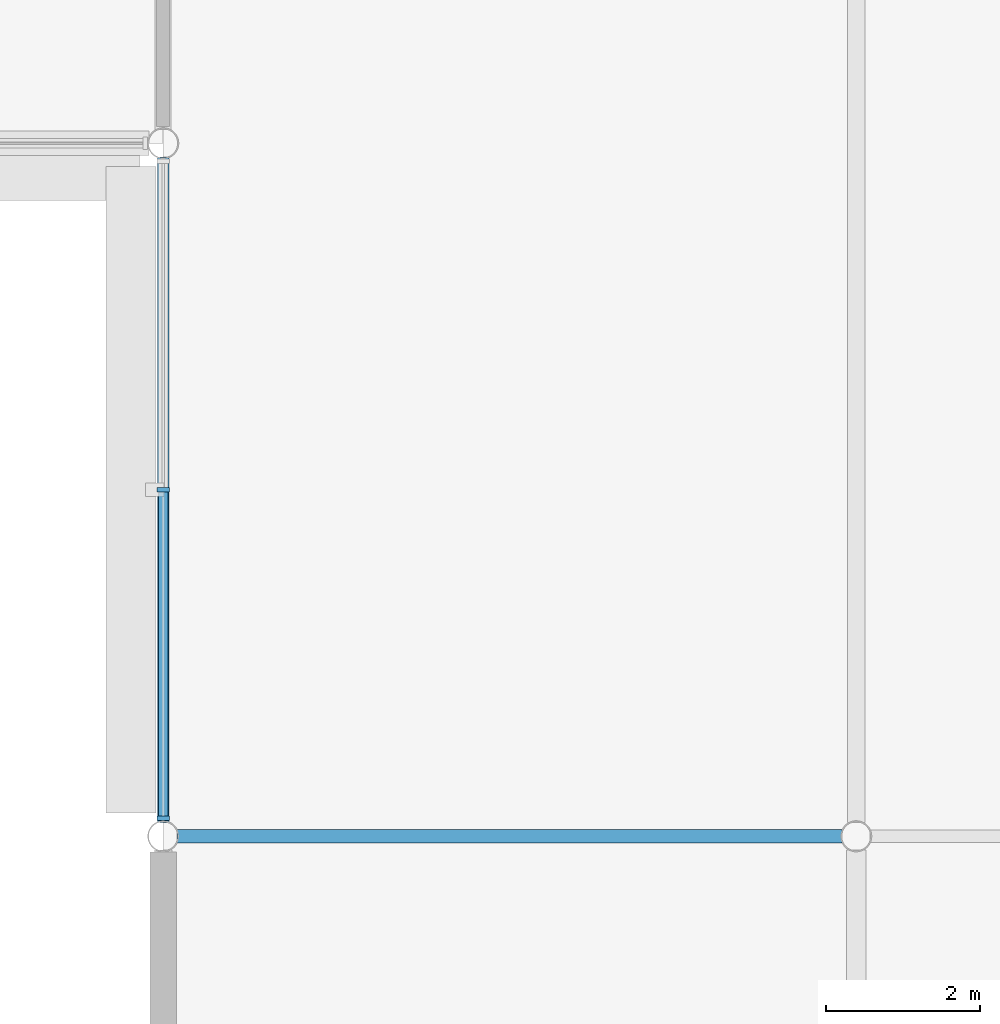
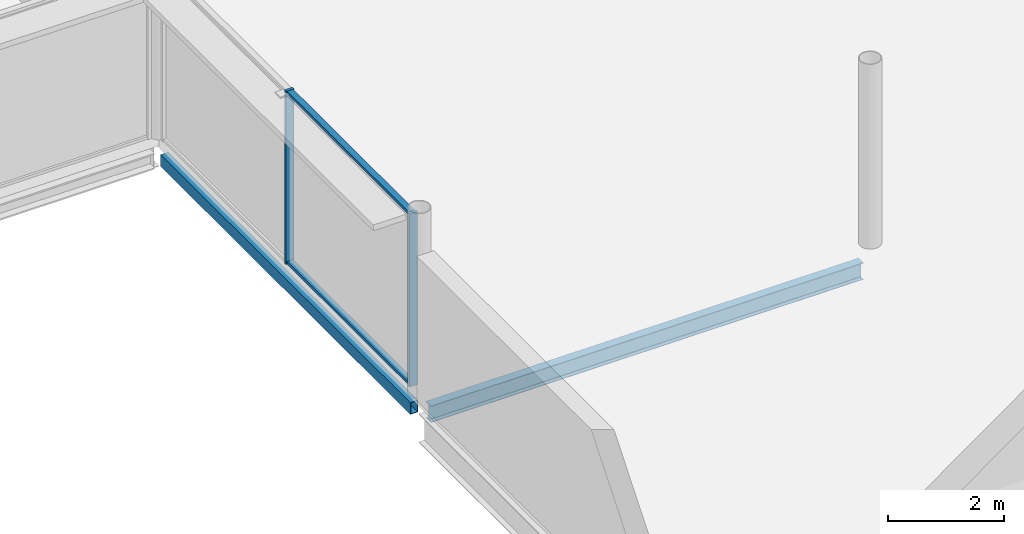
# One storey, part 46 of 96: 4 members, 2 beams, 1 element without a shape of its own.
"""IFC4 building model written with IfcOpenShell, lengths in metres."""

from ifc_helpers import new_model, si_unit, direction, frame, origin, origin_2d, place, context, subcontext, project, spatial, rectangle, hollow_rectangle, i_section, extrude, material, layer, layer_set, material_profile, profile_set, type_object, element, aggregate, save


model = new_model("IFC4")

# Units and contexts
model_context = context("Model", 3, precision=1e-05, world=origin(), true_north=direction((0.0, 1.0)))
body_context = subcontext(model_context, "Body", "Model", "MODEL_VIEW")
ifc_project = project(units=[si_unit("LENGTHUNIT", "METRE"), si_unit("AREAUNIT", "SQUARE_METRE"), si_unit("VOLUMEUNIT", "CUBIC_METRE"), si_unit("PLANEANGLEUNIT", "RADIAN"), si_unit("MASSUNIT", "GRAM", prefix="KILO")], contexts=[model_context])

# Site, building, storey
site_placement = place(None, origin())
site = spatial("IfcSite", under=ifc_project, at=site_placement, CompositionType="ELEMENT")
building_placement = place(site_placement, origin())
building = spatial("IfcBuilding", under=site, at=building_placement, Name="Kisiwana Market Hall", CompositionType="ELEMENT")
storey_placement = place(building_placement, frame((0.0, 0.0, 25.5)))
storey = spatial("IfcBuildingStorey", under=building, at=storey_placement, Name="L05", CompositionType="ELEMENT", Elevation=25.5)

# Beams
ifc_material_1 = material(Name="Steel S355", Category="steel")
ifc_material_profile_1 = material_profile(ifc_material_1, i_section(OverallWidth=0.1708984375, OverallDepth=0.351318359375, WebThickness=0.007080078125, FlangeThickness=0.009765625, FilletRadius=0.01025390625, at=origin_2d()), Name="UB 356x171x45")
ifc_profile_set_1 = profile_set([ifc_material_profile_1], Name="Steel S355")
beam_type_1 = type_object("IfcBeamType", Name="BM-JOIST-UB045", PredefinedType="JOIST", material=ifc_profile_set_1)
beam_1_placement = place(storey_placement, frame((153.182373046875, 84.0, -0.49072265625), z_axis=(1.0, 0.0, 0.0), x_axis=(0.0, 1.0, 0.0)))
element("IfcBeam", 1, at=beam_1_placement, inside=storey, type_object=beam_type_1, Name="Floor beam B-1637", PredefinedType="JOIST", context=body_context, shape_type="SweptSolid", body=[
    extrude(i_section(OverallWidth=0.1708984375, OverallDepth=0.351318359375, WebThickness=0.007080078125, FlangeThickness=0.009765625, FilletRadius=0.01025390625, at=origin_2d()), origin(), (0.0, 0.0, 1.0), 8.63525390625),
])
ifc_material_2 = material(Name="Steel S355", Category="steel")
ifc_material_profile_2 = material_profile(ifc_material_2, hollow_rectangle(XDim=0.14990234375, YDim=0.25, WallThickness=0.010009765625, at=origin_2d()), Name="RHS 250x150x10.0")
ifc_profile_set_2 = profile_set([ifc_material_profile_2], Name="Steel S355")
beam_type_2 = type_object("IfcBeamType", Name="BM-SPAN-RHS250", PredefinedType="SPANDREL", material=ifc_profile_set_2)
beam_2_placement = place(storey_placement, frame((153.0, 84.18017578125, -0.43994140625), z_axis=(0.0, 1.0, 0.0), x_axis=(-1.0, 0.0, 0.0)))
element("IfcBeam", 2, at=beam_2_placement, inside=storey, type_object=beam_type_2, Name="Floor beam B-1687", PredefinedType="SPANDREL", context=body_context, shape_type="SweptSolid", body=[
    extrude(hollow_rectangle(XDim=0.14990234375, YDim=0.25, WallThickness=0.010009765625, at=origin_2d()), origin(), (0.0, 0.0, 1.0), 8.6396484375),
])

# Curtain wall, members
ifc_material_3 = material(Name="Double-glazed solar-control low-E IGU", Category="glass")
ifc_layer = layer(ifc_material_3, 0.159912109375)
ifc_layer_set = layer_set([ifc_layer], Name="CW-ZNA-EW-8200")
curtain_wall_type = type_object("IfcCurtainWallType", Name="CW-ZNA-EW-8200", PredefinedType="USERDEFINED", material=ifc_layer_set)
curtain_wall_placement = place(storey_placement, origin())
curtain_wall = element("IfcCurtainWall", 3, at=curtain_wall_placement, inside=storey, type_object=curtain_wall_type, Name="Unitised curtain wall CW-166 (L05)", ObjectType="UNITISED CURTAIN WALL", PredefinedType="USERDEFINED")
ifc_material_4 = material(Name="Aluminium alloy 6063-T6", Category="aluminium")
ifc_material_profile_3 = material_profile(ifc_material_4, rectangle(XDim=0.06005859375, YDim=0.159912109375, at=origin_2d()), Name="ALU MULLION 60x160")
ifc_profile_set_3 = profile_set([ifc_material_profile_3], Name="Aluminium alloy 6063-T6")
member_type_1 = type_object("IfcMemberType", Name="CW-MULL-60x160", PredefinedType="MULLION", material=ifc_profile_set_3)
member_1_placement = place(storey_placement, frame((153.0, 84.233154296875, 0.0), z_axis=(0.0, 0.0, 1.0), x_axis=(0.0, 1.0, 0.0)))
member_1 = element("IfcMember", 4, at=member_1_placement, type_object=member_type_1, Name="CW-166 mullion 1", PredefinedType="MULLION", context=body_context, shape_type="SweptSolid", body=[
    extrude(rectangle(XDim=0.06005859375, YDim=0.159912109375, at=origin_2d()), origin(), (0.0, 0.0, 1.0), 3.655029296875),
])
member_2_placement = place(storey_placement, frame((153.0, 88.5, 0.0), z_axis=(0.0, 0.0, 1.0), x_axis=(0.0, 1.0, 0.0)))
member_2 = element("IfcMember", 5, at=member_2_placement, type_object=member_type_1, Name="CW-166 mullion 2", PredefinedType="MULLION", context=body_context, shape_type="SweptSolid", body=[
    extrude(rectangle(XDim=0.06005859375, YDim=0.159912109375, at=origin_2d()), origin(), (0.0, 0.0, 1.0), 3.655029296875),
])
ifc_material_5 = material(Name="Aluminium alloy 6063-T6", Category="aluminium")
ifc_material_profile_4 = material_profile(ifc_material_5, rectangle(XDim=0.1201171875, YDim=0.06005859375, at=origin_2d()), Name="ALU TRANSOM 60x120")
ifc_profile_set_4 = profile_set([ifc_material_profile_4], Name="Aluminium alloy 6063-T6")
member_type_2 = type_object("IfcMemberType", Name="CW-TRAN-60x120", PredefinedType="USERDEFINED", material=ifc_profile_set_4)
member_3_placement = place(storey_placement, frame((153.0, 84.26318359375, 0.030029296875), z_axis=(0.0, 1.0, 0.0), x_axis=(-1.0, 0.0, 0.0)))
member_3 = element("IfcMember", 6, at=member_3_placement, type_object=member_type_2, Name="CW-166 transom 1.1", ObjectType="TRANSOM", PredefinedType="USERDEFINED", context=body_context, shape_type="SweptSolid", body=[
    extrude(rectangle(XDim=0.1201171875, YDim=0.06005859375, at=origin_2d()), origin(), (0.0, 0.0, 1.0), 4.206787109375),
])
member_4_placement = place(storey_placement, frame((153.0, 84.26318359375, 3.625), z_axis=(0.0, 1.0, 0.0), x_axis=(-1.0, 0.0, 0.0)))
member_4 = element("IfcMember", 7, at=member_4_placement, type_object=member_type_2, Name="CW-166 transom 1.2", ObjectType="TRANSOM", PredefinedType="USERDEFINED", context=body_context, shape_type="SweptSolid", body=[
    extrude(rectangle(XDim=0.1201171875, YDim=0.06005859375, at=origin_2d()), origin(), (0.0, 0.0, 1.0), 4.206787109375),
])
aggregate(curtain_wall, [member_1, member_2, member_3, member_4])

save(model, "model.ifc")
